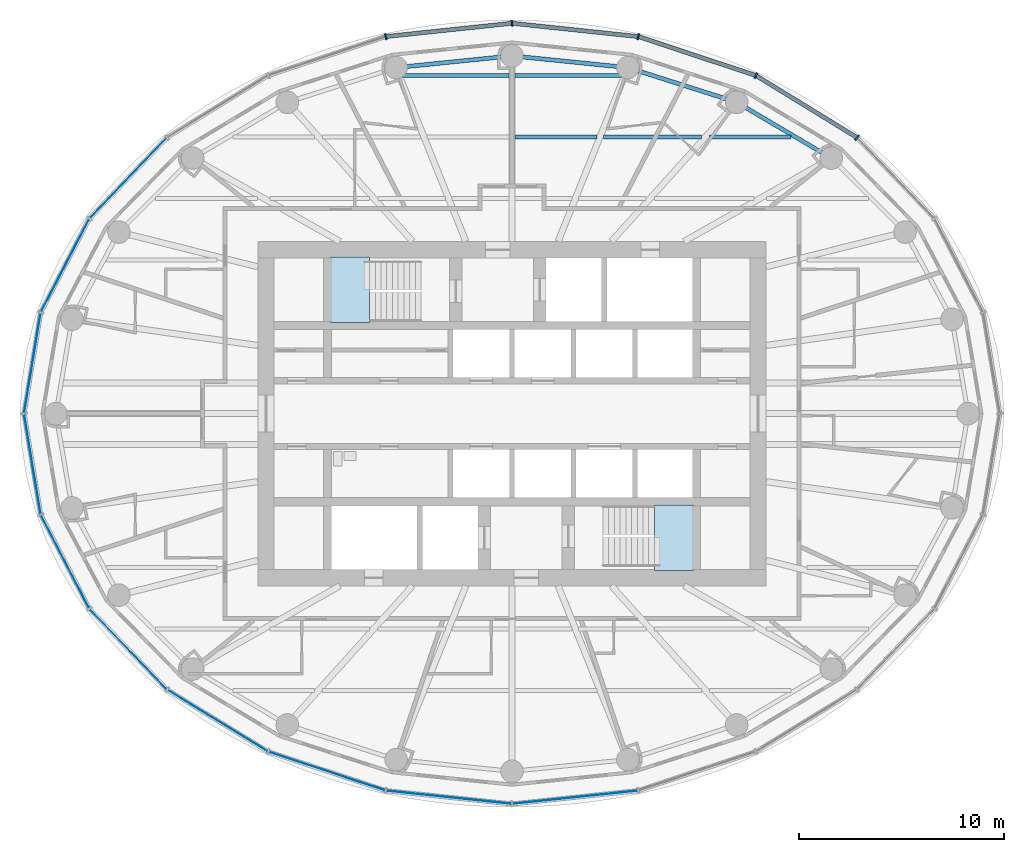
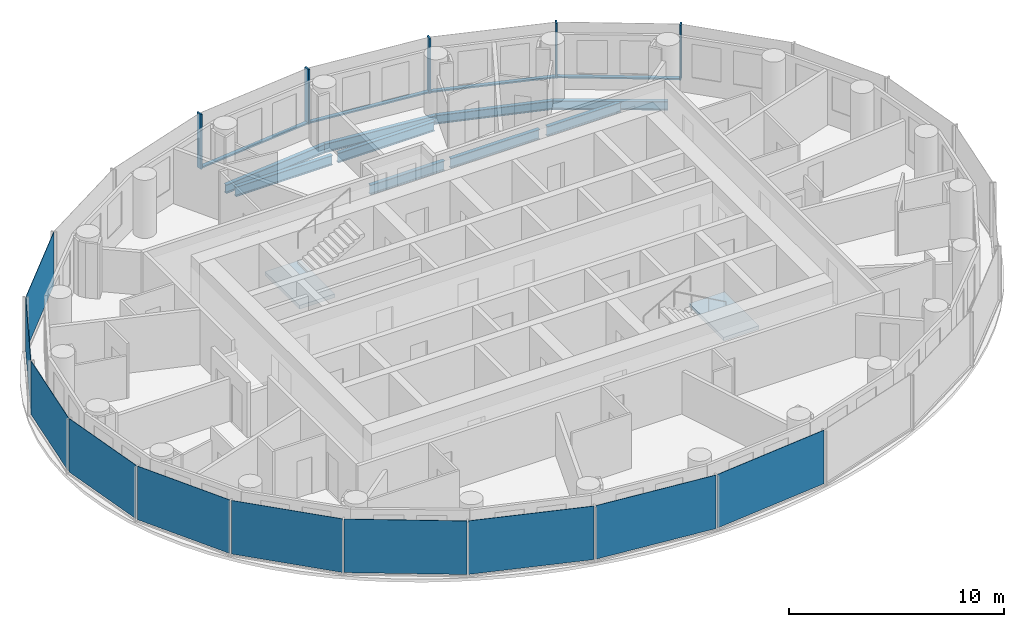
# One storey, part 4 of 16: 10 plates, 9 beams, 9 members, 2 slabs, 6 elements without a shape of their own.
"""IFC4 building model written with IfcOpenShell, lengths in metres."""

from ifc_helpers import new_model, si_unit, direction, frame, origin, origin_2d, place, context, subcontext, project, spatial, polyline, rectangle, i_section, outline, extrude, material, layer, layer_set, material_profile, profile_set, type_object, element, aggregate, save


model = new_model("IFC4")

# Units and contexts
model_context = context("Model", 3, precision=1e-05, world=origin(), true_north=direction((0.0, 1.0)))
body_context = subcontext(model_context, "Body", "Model", "MODEL_VIEW")
ifc_project = project(units=[si_unit("LENGTHUNIT", "METRE"), si_unit("AREAUNIT", "SQUARE_METRE"), si_unit("VOLUMEUNIT", "CUBIC_METRE"), si_unit("PLANEANGLEUNIT", "RADIAN"), si_unit("MASSUNIT", "GRAM", prefix="KILO")], contexts=[model_context])

# Site, building, storey
site_placement = place(None, origin())
site = spatial("IfcSite", under=ifc_project, at=site_placement, CompositionType="ELEMENT")
building_placement = place(site_placement, origin())
building = spatial("IfcBuilding", under=site, at=building_placement, Name="Hankou Lantern Tower", CompositionType="ELEMENT")
storey_placement = place(building_placement, frame((0.0, 0.0, 166.5)))
storey = spatial("IfcBuildingStorey", under=building, at=storey_placement, Name="L44", CompositionType="ELEMENT", Elevation=166.5)

# Beams
ifc_material_1 = material(Name="Steel Q355B", Category="steel")
ifc_material_profile_1 = material_profile(ifc_material_1, i_section(OverallWidth=0.199951171875, OverallDepth=0.5, WebThickness=0.010009765625, FlangeThickness=0.01611328125, FilletRadius=0.012939453125, at=origin_2d()), Name="HN500x200x10x16")
ifc_profile_set_1 = profile_set([ifc_material_profile_1], Name="Steel Q355B")
beam_type_1 = type_object("IfcBeamType", Name="EB5 RING BEAM HN500x200x10x16", PredefinedType="SPANDREL", material=ifc_profile_set_1)
beam_1_placement = place(storey_placement, frame((15.576171875, 12.4609375, -0.429931640625), z_axis=(-0.861135888339, 0.508374843806, 0.0), x_axis=(-0.508374843806, -0.861135888339, 0.0)))
element("IfcBeam", 1, at=beam_1_placement, inside=storey, type_object=beam_type_1, Name="Ring beam R04-R05 L44", PredefinedType="SPANDREL", context=body_context, shape_type="SweptSolid", body=[
    extrude(i_section(OverallWidth=0.199951171875, OverallDepth=0.5, WebThickness=0.010009765625, FlangeThickness=0.01611328125, FilletRadius=0.012939453125, at=origin_2d()), origin(), (0.0, 0.0, 1.0), 5.36083984375),
])
beam_2_placement = place(storey_placement, frame((10.959716796875, 15.186279296875, -0.429931640625), z_axis=(-0.952790404271, 0.30362879562, 0.0), x_axis=(-0.30362879562, -0.952790404271, 0.0)))
element("IfcBeam", 2, at=beam_2_placement, inside=storey, type_object=beam_type_1, Name="Ring beam R05-R06 L44", PredefinedType="SPANDREL", context=body_context, shape_type="SweptSolid", body=[
    extrude(i_section(OverallWidth=0.199951171875, OverallDepth=0.5, WebThickness=0.010009765625, FlangeThickness=0.01611328125, FilletRadius=0.012939453125, at=origin_2d()), origin(), (0.0, 0.0, 1.0), 5.56982421875),
])
for number, where, z_axis, x_axis, name in (
    (3, (5.65283203125, 16.87744140625, -0.429931640625), (-0.9949104636, 0.100762936734, 0.0), (-0.100762936734, -0.9949104636, 0.0), "Ring beam R06-R07 L44"),
    (4, (0.0, 17.449951171875, -0.429931640625), (-0.9949104636, -0.100762936734, 0.0), (0.100762936734, -0.9949104636, 0.0), "Ring beam R07-R08 L44"),
):
    element("IfcBeam", number, at=place(storey_placement, frame(where, z_axis=z_axis, x_axis=x_axis)), inside=storey, type_object=beam_type_1, Name=name, PredefinedType="SPANDREL", context=body_context, shape_type="SweptSolid", body=[
        extrude(i_section(OverallWidth=0.199951171875, OverallDepth=0.5, WebThickness=0.010009765625, FlangeThickness=0.01611328125, FilletRadius=0.012939453125, at=origin_2d()), origin(), (0.0, 0.0, 1.0), 5.681640625),
    ])

# Curtain wall, members
ifc_material_2 = material(Name="Glass, dark grey tinted laminated", Category="glass")
curtain_wall_type = type_object("IfcCurtainWallType", Name="CWC OUTER SKIN HIGH-RISE", PredefinedType="USERDEFINED", material=ifc_material_2)
curtain_wall_1_placement = place(storey_placement, origin())
curtain_wall_1 = element("IfcCurtainWall", 5, at=curtain_wall_1_placement, inside=storey, type_object=curtain_wall_type, Name="CWC L44 OS1", ObjectType="OUTER SKIN HIGH-RISE", PredefinedType="USERDEFINED")
ifc_material_3 = material(Name="Aluminium, black anodised", Category="aluminium")
ifc_material_profile_2 = material_profile(ifc_material_3, rectangle(XDim=0.080078125, YDim=0.300048828125, at=origin_2d()), Name="MU1 80X300")
ifc_profile_set_2 = profile_set([ifc_material_profile_2], Name="Aluminium, black anodised")
member_type_1 = type_object("IfcMemberType", Name="MU1 OUTER SKIN MULLION 80X300", PredefinedType="MULLION", material=ifc_profile_set_2)
member_1_placement = place(storey_placement, frame((16.8291015625, 13.46337890625, 0.0), z_axis=(0.0, 0.0, 1.0), x_axis=(-0.780868809444, 0.624695047553, 0.0)))
member_1 = element("IfcMember", 6, at=member_1_placement, type_object=member_type_1, Name="CWC mullion 4", PredefinedType="MULLION", context=body_context, shape_type="SweptSolid", body=[
    extrude(rectangle(XDim=0.080078125, YDim=0.300048828125, at=origin_2d()), origin(), (0.0, 0.0, 1.0), 3.1201171875),
])
member_2_placement = place(storey_placement, frame((11.89990234375, 16.489013671875, 0.0), z_axis=(0.0, 0.0, 1.0), x_axis=(-0.907841299004, 0.419313934686, 0.0)))
member_2 = element("IfcMember", 7, at=member_2_placement, type_object=member_type_1, Name="CWC mullion 5", PredefinedType="MULLION", context=body_context, shape_type="SweptSolid", body=[
    extrude(rectangle(XDim=0.080078125, YDim=0.300048828125, at=origin_2d()), origin(), (0.0, 0.0, 1.0), 3.1201171875),
])
member_3_placement = place(storey_placement, frame((6.159912109375, 18.39111328125, 0.0), z_axis=(0.0, 0.0, 1.0), x_axis=(-0.977787659625, 0.209597931016, 0.0)))
member_3 = element("IfcMember", 8, at=member_3_placement, type_object=member_type_1, Name="CWC mullion 6", PredefinedType="MULLION", context=body_context, shape_type="SweptSolid", body=[
    extrude(rectangle(XDim=0.080078125, YDim=0.300048828125, at=origin_2d()), origin(), (0.0, 0.0, 1.0), 3.1201171875),
])

curtain_wall_2_placement = place(storey_placement, origin())
curtain_wall_2 = element("IfcCurtainWall", 9, at=curtain_wall_2_placement, inside=storey, type_object=curtain_wall_type, Name="CWC L44 OS2", ObjectType="OUTER SKIN HIGH-RISE", PredefinedType="USERDEFINED")
member_4_placement = place(storey_placement, frame((0.0, 19.0400390625, 0.0), z_axis=(0.0, 0.0, 1.0), x_axis=(-0.994499359107, -0.104742659579, 0.0)))
member_4 = element("IfcMember", 10, at=member_4_placement, type_object=member_type_1, Name="CWC mullion 1", PredefinedType="MULLION", context=body_context, shape_type="SweptSolid", body=[
    extrude(rectangle(XDim=0.080078125, YDim=0.300048828125, at=origin_2d()), origin(), (0.0, 0.0, 1.0), 3.1201171875),
])
member_5_placement = place(storey_placement, frame((-6.159912109375, 18.39111328125, 0.0), z_axis=(0.0, 0.0, 1.0), x_axis=(-0.977787659625, -0.209597931016, 0.0)))
member_5 = element("IfcMember", 11, at=member_5_placement, type_object=member_type_1, Name="CWC mullion 2", PredefinedType="MULLION", context=body_context, shape_type="SweptSolid", body=[
    extrude(rectangle(XDim=0.080078125, YDim=0.300048828125, at=origin_2d()), origin(), (0.0, 0.0, 1.0), 3.1201171875),
])

# Beams
ifc_material_4 = material(Name="Steel Q355B", Category="steel")
ifc_material_profile_3 = material_profile(ifc_material_4, i_section(OverallWidth=0.199951171875, OverallDepth=0.550048828125, WebThickness=0.010009765625, FlangeThickness=0.01611328125, FilletRadius=0.012939453125, at=origin_2d()), Name="HN550x200x10x16")
ifc_profile_set_3 = profile_set([ifc_material_profile_3], Name="Steel Q355B")
beam_type_2 = type_object("IfcBeamType", Name="SB6 SECONDARY BEAM HN550x200x10x16", PredefinedType="JOIST", material=ifc_profile_set_3)
beam_3_placement = place(storey_placement, frame((0.14990234375, 13.5, -0.455078125), z_axis=(1.0, 0.0, 0.0), x_axis=(0.0, 1.0, 0.0)))
element("IfcBeam", 12, at=beam_3_placement, inside=storey, type_object=beam_type_2, Name="Floor joist J038 L44", PredefinedType="JOIST", context=body_context, shape_type="SweptSolid", body=[
    extrude(i_section(OverallWidth=0.199951171875, OverallDepth=0.550048828125, WebThickness=0.010009765625, FlangeThickness=0.01611328125, FilletRadius=0.012939453125, at=origin_2d()), origin(), (0.0, 0.0, 1.0), 3.986083984375),
])
beam_4_placement = place(storey_placement, frame((4.459228515625, 13.5, -0.455078125), z_axis=(1.0, 0.0, 0.0), x_axis=(0.0, 1.0, 0.0)))
element("IfcBeam", 13, at=beam_4_placement, inside=storey, type_object=beam_type_2, Name="Floor joist J039 L44", PredefinedType="JOIST", context=body_context, shape_type="SweptSolid", body=[
    extrude(i_section(OverallWidth=0.199951171875, OverallDepth=0.550048828125, WebThickness=0.010009765625, FlangeThickness=0.01611328125, FilletRadius=0.012939453125, at=origin_2d()), origin(), (0.0, 0.0, 1.0), 4.780517578125),
])
beam_5_placement = place(storey_placement, frame((9.643310546875, 13.5, -0.455078125), z_axis=(1.0, 0.0, 0.0), x_axis=(0.0, 1.0, 0.0)))
element("IfcBeam", 14, at=beam_5_placement, inside=storey, type_object=beam_type_2, Name="Floor joist J040 L44", PredefinedType="JOIST", context=body_context, shape_type="SweptSolid", body=[
    extrude(i_section(OverallWidth=0.199951171875, OverallDepth=0.550048828125, WebThickness=0.010009765625, FlangeThickness=0.01611328125, FilletRadius=0.012939453125, at=origin_2d()), origin(), (0.0, 0.0, 1.0), 3.97607421875),
])
for number, where, z_axis, x_axis, name in (
    (15, (-5.33984375, 16.5, -0.455078125), (1.0, 0.0, 0.0), (0.0, 1.0, 0.0), "Floor joist J041 L44"),
    (16, (0.14990234375, 16.5, -0.455078125), (1.0, 0.0, 0.0), (0.0, 1.0, 0.0), "Floor joist J042 L44"),
):
    element("IfcBeam", number, at=place(storey_placement, frame(where, z_axis=z_axis, x_axis=x_axis)), inside=storey, type_object=beam_type_2, Name=name, PredefinedType="JOIST", context=body_context, shape_type="SweptSolid", body=[
        extrude(i_section(OverallWidth=0.199951171875, OverallDepth=0.550048828125, WebThickness=0.010009765625, FlangeThickness=0.01611328125, FilletRadius=0.012939453125, at=origin_2d()), origin(), (0.0, 0.0, 1.0), 5.18994140625),
    ])

# Member
ifc_material_5 = material(Name="Aluminium, black anodised", Category="aluminium")
ifc_material_profile_4 = material_profile(ifc_material_5, rectangle(XDim=0.199951171875, YDim=0.080078125, at=origin_2d()), Name="TR1 200X80")
ifc_profile_set_4 = profile_set([ifc_material_profile_4], Name="Aluminium, black anodised")
member_type_2 = type_object("IfcMemberType", Name="TR1 OUTER SKIN TRANSOM 200X80", PredefinedType="USERDEFINED", material=ifc_profile_set_4)
member_6_placement = place(storey_placement, frame((16.795166015625, 13.484130859375, 0.0400390625), z_axis=(-0.852229482357, 0.523168146394, 0.0), x_axis=(-0.523168146394, -0.852229482357, 0.0)))
member_6 = element("IfcMember", 17, at=member_6_placement, type_object=member_type_2, Name="CWC transom 4", ObjectType="TRANSOM", PredefinedType="USERDEFINED", context=body_context, shape_type="SweptSolid", body=[
    extrude(rectangle(XDim=0.199951171875, YDim=0.080078125, at=origin_2d()), origin(), (0.0, 0.0, 1.0), 5.703857421875),
])

member_7_placement = place(storey_placement, frame((11.862060546875, 16.501708984375, 0.0400390625), z_axis=(-0.949242327551, 0.314545709849, 0.0), x_axis=(-0.314545709849, -0.949242327551, 0.0)))
member_7 = element("IfcMember", 18, at=member_7_placement, type_object=member_type_2, Name="CWC transom 5", ObjectType="TRANSOM", PredefinedType="USERDEFINED", context=body_context, shape_type="SweptSolid", body=[
    extrude(rectangle(XDim=0.199951171875, YDim=0.080078125, at=origin_2d()), origin(), (0.0, 0.0, 1.0), 5.96728515625),
])

member_8_placement = place(storey_placement, frame((6.1201171875, 18.3955078125, 0.0400390625), z_axis=(-0.994499543631, 0.104740907567, 0.0), x_axis=(-0.104740907567, -0.994499543631, 0.0)))
member_8 = element("IfcMember", 19, at=member_8_placement, type_object=member_type_2, Name="CWC transom 6", ObjectType="TRANSOM", PredefinedType="USERDEFINED", context=body_context, shape_type="SweptSolid", body=[
    extrude(rectangle(XDim=0.199951171875, YDim=0.080078125, at=origin_2d()), origin(), (0.0, 0.0, 1.0), 6.114013671875),
])

aggregate(curtain_wall_1, [member_1, member_2, member_3, member_6, member_7, member_8])

member_9_placement = place(storey_placement, frame((-0.039794921875, 19.035888671875, 0.0400390625), z_axis=(-0.994499543631, -0.104740907567, 0.0), x_axis=(0.104740907567, -0.994499543631, 0.0)))
member_9 = element("IfcMember", 20, at=member_9_placement, type_object=member_type_2, Name="CWC transom 1", ObjectType="TRANSOM", PredefinedType="USERDEFINED", context=body_context, shape_type="SweptSolid", body=[
    extrude(rectangle(XDim=0.199951171875, YDim=0.080078125, at=origin_2d()), origin(), (0.0, 0.0, 1.0), 6.114013671875),
])

# Plate
ifc_material_6 = material(Name="Glass, dark grey tinted laminated", Category="glass")
ifc_layer_1 = layer(ifc_material_6, 0.02392578125)
ifc_layer_set_1 = layer_set([ifc_layer_1], Name="Glass, dark grey tinted laminated")
plate_type = type_object("IfcPlateType", Name="PN1 OUTER SKIN GLASS PANEL", PredefinedType="CURTAIN_PANEL", material=ifc_layer_set_1)
plate_1_placement = place(storey_placement, frame((-18.72021484375, 11.49169921875, 0.080078125), z_axis=(0.0, 0.0, 1.0), x_axis=(-0.692215809936, -0.721690565599, 0.0)))
plate_1 = element("IfcPlate", 21, at=plate_1_placement, type_object=plate_type, Name="CWC glass panel 4", PredefinedType="CURTAIN_PANEL", context=body_context, shape_type="SweptSolid", body=[
    extrude(rectangle(XDim=5.384033203125, YDim=0.02392578125, at=origin_2d()), origin(), (0.0, 0.0, 1.0), 3.0400390625),
])

plate_2_placement = place(storey_placement, frame((-21.80029296875, 7.223876953125, 0.080078125), z_axis=(0.0, 0.0, 1.0), x_axis=(-0.459791091957, -0.888027112062, 0.0)))
plate_2 = element("IfcPlate", 22, at=plate_2_placement, type_object=plate_type, Name="CWC glass panel 5", PredefinedType="CURTAIN_PANEL", context=body_context, shape_type="SweptSolid", body=[
    extrude(rectangle(XDim=5.091064453125, YDim=0.02392578125, at=origin_2d()), origin(), (0.0, 0.0, 1.0), 3.0400390625),
])

plate_3_placement = place(storey_placement, frame((-23.39453125, 2.4638671875, 0.080078125), z_axis=(0.0, 0.0, 1.0), x_axis=(-0.162381515188, -0.986728049427, 0.0)))
plate_3 = element("IfcPlate", 23, at=plate_3_placement, type_object=plate_type, Name="CWC glass panel 6", PredefinedType="CURTAIN_PANEL", context=body_context, shape_type="SweptSolid", body=[
    extrude(rectangle(XDim=4.914306640625, YDim=0.02392578125, at=origin_2d()), origin(), (0.0, 0.0, 1.0), 3.0400390625),
])

aggregate(curtain_wall_2, [member_4, member_5, member_9, plate_1, plate_2, plate_3])

# Curtain wall, plates
curtain_wall_3_placement = place(storey_placement, origin())
curtain_wall_3 = element("IfcCurtainWall", 24, at=curtain_wall_3_placement, inside=storey, type_object=curtain_wall_type, Name="CWC L44 OS3", ObjectType="OUTER SKIN HIGH-RISE", PredefinedType="USERDEFINED")
plate_4_placement = place(storey_placement, frame((-23.39453125, -2.4638671875, 0.080078125), z_axis=(0.0, 0.0, 1.0), x_axis=(0.162381515188, -0.986728049427, 0.0)))
plate_4 = element("IfcPlate", 25, at=plate_4_placement, type_object=plate_type, Name="CWC glass panel 1", PredefinedType="CURTAIN_PANEL", context=body_context, shape_type="SweptSolid", body=[
    extrude(rectangle(XDim=4.914306640625, YDim=0.02392578125, at=origin_2d()), origin(), (0.0, 0.0, 1.0), 3.0400390625),
])
plate_5_placement = place(storey_placement, frame((-21.80029296875, -7.223876953125, 0.080078125), z_axis=(0.0, 0.0, 1.0), x_axis=(0.459791091957, -0.888027112062, 0.0)))
plate_5 = element("IfcPlate", 26, at=plate_5_placement, type_object=plate_type, Name="CWC glass panel 2", PredefinedType="CURTAIN_PANEL", context=body_context, shape_type="SweptSolid", body=[
    extrude(rectangle(XDim=5.091064453125, YDim=0.02392578125, at=origin_2d()), origin(), (0.0, 0.0, 1.0), 3.0400390625),
])
plate_6_placement = place(storey_placement, frame((-18.72021484375, -11.49169921875, 0.080078125), z_axis=(0.0, 0.0, 1.0), x_axis=(0.692215809936, -0.721690565599, 0.0)))
plate_6 = element("IfcPlate", 27, at=plate_6_placement, type_object=plate_type, Name="CWC glass panel 3", PredefinedType="CURTAIN_PANEL", context=body_context, shape_type="SweptSolid", body=[
    extrude(rectangle(XDim=5.384033203125, YDim=0.02392578125, at=origin_2d()), origin(), (0.0, 0.0, 1.0), 3.0400390625),
])
plate_7_placement = place(storey_placement, frame((-14.364501953125, -14.976318359375, 0.080078125), z_axis=(0.0, 0.0, 1.0), x_axis=(0.852237151549, -0.523155653242, 0.0)))
plate_7 = element("IfcPlate", 28, at=plate_7_placement, type_object=plate_type, Name="CWC glass panel 4", PredefinedType="CURTAIN_PANEL", context=body_context, shape_type="SweptSolid", body=[
    extrude(rectangle(XDim=5.703857421875, YDim=0.02392578125, at=origin_2d()), origin(), (0.0, 0.0, 1.0), 3.0400390625),
])
plate_8_placement = place(storey_placement, frame((-9.030029296875, -17.440185546875, 0.080078125), z_axis=(0.0, 0.0, 1.0), x_axis=(0.949240677293, -0.31455068999, 0.0)))
plate_8 = element("IfcPlate", 29, at=plate_8_placement, type_object=plate_type, Name="CWC glass panel 5", PredefinedType="CURTAIN_PANEL", context=body_context, shape_type="SweptSolid", body=[
    extrude(rectangle(XDim=5.967041015625, YDim=0.02392578125, at=origin_2d()), origin(), (0.0, 0.0, 1.0), 3.0400390625),
])
plate_9_placement = place(storey_placement, frame((-3.079833984375, -18.715576171875, 0.080078125), z_axis=(0.0, 0.0, 1.0), x_axis=(0.994499359107, -0.104742659579, 0.0)))
plate_9 = element("IfcPlate", 30, at=plate_9_placement, type_object=plate_type, Name="CWC glass panel 6", PredefinedType="CURTAIN_PANEL", context=body_context, shape_type="SweptSolid", body=[
    extrude(rectangle(XDim=6.114013671875, YDim=0.02392578125, at=origin_2d()), origin(), (0.0, 0.0, 1.0), 3.0400390625),
])
aggregate(curtain_wall_3, [plate_4, plate_5, plate_6, plate_7, plate_8, plate_9])

# Curtain wall, plate
curtain_wall_4_placement = place(storey_placement, origin())
curtain_wall_4 = element("IfcCurtainWall", 31, at=curtain_wall_4_placement, inside=storey, type_object=curtain_wall_type, Name="CWC L44 OS4", ObjectType="OUTER SKIN HIGH-RISE", PredefinedType="USERDEFINED")
plate_10_placement = place(storey_placement, frame((3.079833984375, -18.715576171875, 0.080078125), z_axis=(0.0, 0.0, 1.0), x_axis=(0.994499359107, 0.104742659579, 0.0)))
plate_10 = element("IfcPlate", 32, at=plate_10_placement, type_object=plate_type, Name="CWC glass panel 1", PredefinedType="CURTAIN_PANEL", context=body_context, shape_type="SweptSolid", body=[
    extrude(rectangle(XDim=6.114013671875, YDim=0.02392578125, at=origin_2d()), origin(), (0.0, 0.0, 1.0), 3.0400390625),
])
aggregate(curtain_wall_4, [plate_10])

# Stair, slab
ifc_material_7 = material(Name="Concrete C40", Category="concrete")
stair_type = type_object("IfcStairType", Name="ST33 CORE STAIR 3300 RISE", PredefinedType="HALF_TURN_STAIR", material=ifc_material_7)
stair_1_placement = place(storey_placement, origin())
stair_1 = element("IfcStair", 33, at=stair_1_placement, inside=storey, type_object=stair_type, Name="Stair STA L44", PredefinedType="HALF_TURN_STAIR")
ifc_material_8 = material(Name="Concrete C40", Category="concrete")
ifc_layer_2 = layer(ifc_material_8, 0.199951171875)
ifc_layer_set_2 = layer_set([ifc_layer_2], Name="Concrete C40")
slab_type = type_object("IfcSlabType", Name="SL1 STAIR LANDING 200", PredefinedType="LANDING", material=ifc_layer_set_2)
slab_1_placement = place(storey_placement, frame((0.0, 0.0, 1.371337890625)))
slab_1 = element("IfcSlab", 34, at=slab_1_placement, type_object=slab_type, Name="STA landing 1", PredefinedType="LANDING", context=body_context, shape_type="SweptSolid", body=[
    extrude(outline(polyline([(-8.85009765625, 4.449951171875), (-6.949951171875, 4.449951171875), (-6.949951171875, 7.64990234375), (-8.85009765625, 7.64990234375), (-8.85009765625, 4.449951171875)])), origin(), (0.0, 0.0, 1.0), 0.2001953125),
])
aggregate(stair_1, [slab_1])

stair_2_placement = place(storey_placement, origin())
stair_2 = element("IfcStair", 35, at=stair_2_placement, inside=storey, type_object=stair_type, Name="Stair STB L44", PredefinedType="HALF_TURN_STAIR")
slab_2_placement = place(storey_placement, frame((0.0, 0.0, 1.371337890625)))
slab_2 = element("IfcSlab", 36, at=slab_2_placement, type_object=slab_type, Name="STB landing 1", PredefinedType="LANDING", context=body_context, shape_type="SweptSolid", body=[
    extrude(outline(polyline([(8.85009765625, -4.449951171875), (6.949951171875, -4.449951171875), (6.949951171875, -7.64990234375), (8.85009765625, -7.64990234375), (8.85009765625, -4.449951171875)])), origin(), (0.0, 0.0, 1.0), 0.2001953125),
])
aggregate(stair_2, [slab_2])

save(model, "model.ifc")
